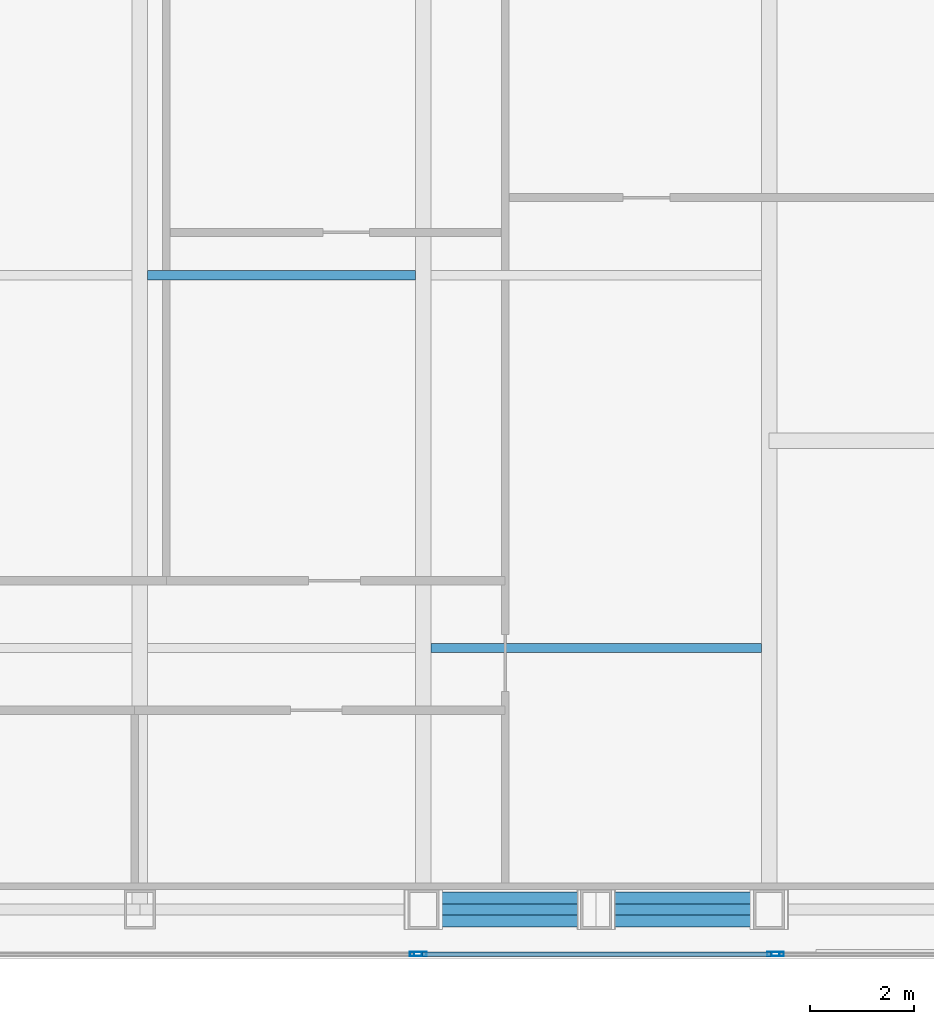
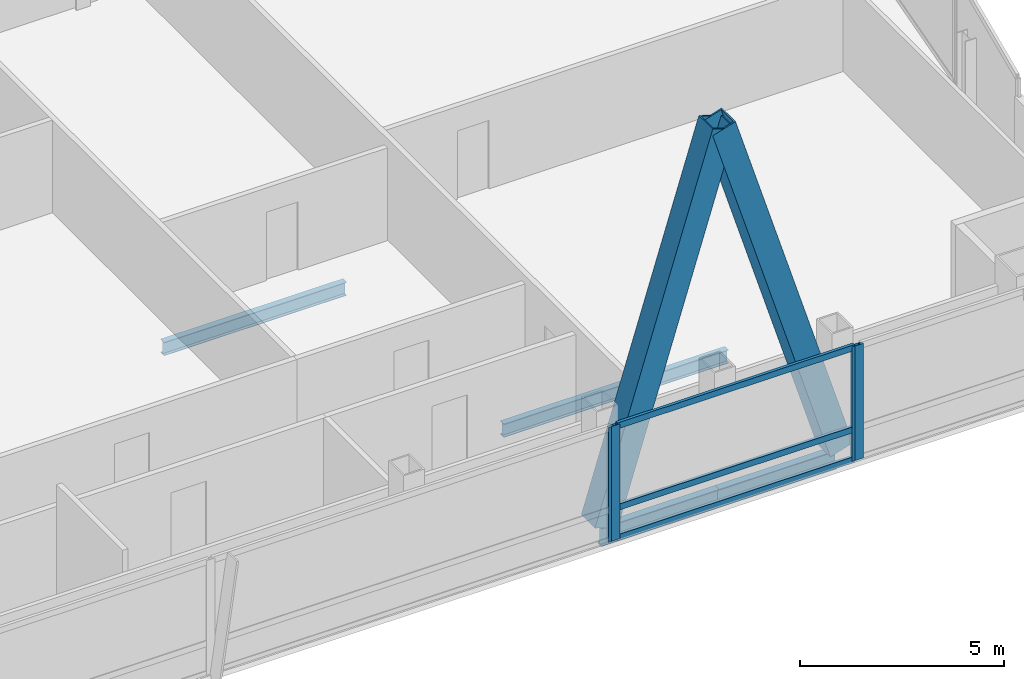
# One storey, part 14 of 31: 9 members, 4 beams, 3 elements without a shape of their own.
"""IFC4 building model written with IfcOpenShell, lengths in metres."""

from ifc_helpers import new_model, si_unit, direction, frame, origin, origin_2d, place, context, subcontext, project, spatial, hollow_rectangle, i_section, extrude, material, material_profile, profile_set, type_object, element, aggregate, save


model = new_model("IFC4")

# Units and contexts
model_context = context("Model", 3, precision=1e-05, world=origin(), true_north=direction((0.0, 1.0)))
body_context = subcontext(model_context, "Body", "Model", "MODEL_VIEW")
ifc_project = project(units=[si_unit("LENGTHUNIT", "METRE"), si_unit("AREAUNIT", "SQUARE_METRE"), si_unit("VOLUMEUNIT", "CUBIC_METRE"), si_unit("PLANEANGLEUNIT", "RADIAN"), si_unit("MASSUNIT", "GRAM", prefix="KILO")], contexts=[model_context])

# Site, building, storey
site_placement = place(None, origin())
site = spatial("IfcSite", under=ifc_project, at=site_placement, CompositionType="ELEMENT")
building_placement = place(site_placement, origin())
building = spatial("IfcBuilding", under=site, at=building_placement, Name="Khoronbel Lancet Exchange", CompositionType="ELEMENT")
storey_placement = place(building_placement, frame((0.0, 0.0, 273.39990234375)))
storey = spatial("IfcBuildingStorey", under=building, at=storey_placement, Name="L70", CompositionType="ELEMENT", Elevation=273.39990234375)

# Beams
ifc_material_1 = material(Name="Steel S355", Category="steel")
ifc_material_profile_1 = material_profile(ifc_material_1, i_section(OverallWidth=0.179931640625, OverallDepth=0.39990234375, WebThickness=0.008544921875, FlangeThickness=0.013427734375, at=origin_2d()), Name="IPE 400")
ifc_profile_set_1 = profile_set([ifc_material_profile_1], Name="Steel S355")
beam_type_1 = type_object("IfcBeamType", Name="BM-BJ5", PredefinedType="JOIST", material=ifc_profile_set_1)
beam_1_placement = place(storey_placement, frame((48.14990234375, 15.199951171875, -0.35986328125), z_axis=(1.0, 0.0, 0.0), x_axis=(0.0, 1.0, 0.0)))
element("IfcBeam", 1, at=beam_1_placement, inside=storey, type_object=beam_type_1, Name="Level L70 secondary composite joist J05", PredefinedType="JOIST", context=body_context, shape_type="SweptSolid", body=[
    extrude(i_section(OverallWidth=0.179931640625, OverallDepth=0.39990234375, WebThickness=0.008544921875, FlangeThickness=0.013427734375, at=origin_2d()), origin(), (0.0, 0.0, 1.0), 6.375),
])
beam_2_placement = place(storey_placement, frame((42.675048828125, 22.39990234375, -0.35986328125), z_axis=(1.0, 0.0, 0.0), x_axis=(0.0, 1.0, 0.0)))
element("IfcBeam", 2, at=beam_2_placement, inside=storey, type_object=beam_type_1, Name="Level L70 secondary composite joist J09", PredefinedType="JOIST", context=body_context, shape_type="SweptSolid", body=[
    extrude(i_section(OverallWidth=0.179931640625, OverallDepth=0.39990234375, WebThickness=0.008544921875, FlangeThickness=0.013427734375, at=origin_2d()), origin(), (0.0, 0.0, 1.0), 5.175048828125),
])
ifc_material_profile_2 = material_profile(ifc_material_1, i_section(OverallWidth=0.2099609375, OverallDepth=0.550048828125, WebThickness=0.010986328125, FlangeThickness=0.01708984375, at=origin_2d()), Name="IPE 550")
ifc_profile_set_2 = profile_set([ifc_material_profile_2], Name="Steel S355")
beam_type_2 = type_object("IfcBeamType", Name="BM-BSP3", PredefinedType="SPANDREL", material=ifc_profile_set_2)
beam_3_placement = place(storey_placement, frame((48.0, 10.14990234375, -0.434814453125), z_axis=(1.0, 0.0, 0.0), x_axis=(0.0, 1.0, 0.0)))
element("IfcBeam", 3, at=beam_3_placement, inside=storey, type_object=beam_type_2, Name="Level L70 perimeter spandrel beam SP07", PredefinedType="SPANDREL", context=body_context, shape_type="SweptSolid", body=[
    extrude(i_section(OverallWidth=0.2099609375, OverallDepth=0.550048828125, WebThickness=0.010986328125, FlangeThickness=0.01708984375, at=origin_2d()), origin(), (0.0, 0.0, 1.0), 3.33740234375),
])
beam_4_placement = place(storey_placement, frame((51.33740234375, 10.14990234375, -0.434814453125), z_axis=(1.0, 0.0, 0.0), x_axis=(0.0, 1.0, 0.0)))
element("IfcBeam", 4, at=beam_4_placement, inside=storey, type_object=beam_type_2, Name="Level L70 perimeter spandrel beam SP08", PredefinedType="SPANDREL", context=body_context, shape_type="SweptSolid", body=[
    extrude(i_section(OverallWidth=0.2099609375, OverallDepth=0.550048828125, WebThickness=0.010986328125, FlangeThickness=0.01708984375, at=origin_2d()), origin(), (0.0, 0.0, 1.0), 3.337646484375),
])

# Curtain wall, member
ifc_material_2 = material(Name="Low-E Solar Control Insulating Glass", Category="glass")
curtain_wall_type = type_object("IfcCurtainWallType", Name="CW-3", PredefinedType="NOTDEFINED", material=ifc_material_2)
curtain_wall_1_placement = place(storey_placement, origin())
curtain_wall_1 = element("IfcCurtainWall", 5, at=curtain_wall_1_placement, inside=storey, type_object=curtain_wall_type, Name="Unitised curtain wall CW-L70-SCV", PredefinedType="NOTDEFINED")
ifc_material_3 = material(Name="Bronze-Anodised Aluminium 6063-T6", Category="aluminium")
ifc_material_profile_3 = material_profile(ifc_material_3, hollow_rectangle(XDim=0.0849609375, YDim=0.239990234375, WallThickness=0.006103515625, at=origin_2d()), Name="ALU MULLION 85x240")
ifc_profile_set_3 = profile_set([ifc_material_profile_3], Name="Bronze-Anodised Aluminium 6063-T6")
member_type_1 = type_object("IfcMemberType", Name="MEM-CWM1", PredefinedType="MULLION", material=ifc_profile_set_3)
member_1_placement = place(storey_placement, frame((47.857421875, 9.2900390625, 0.0), z_axis=(0.0, 0.0, 1.0), x_axis=(0.0, 1.0, 0.0)))
member_1 = element("IfcMember", 6, at=member_1_placement, type_object=member_type_1, Name="CW3 mullion 3", PredefinedType="MULLION", context=body_context, shape_type="SweptSolid", body=[
    extrude(hollow_rectangle(XDim=0.0849609375, YDim=0.239990234375, WallThickness=0.006103515625, at=origin_2d()), origin(), (0.0, 0.0, 1.0), 3.440185546875),
])
aggregate(curtain_wall_1, [member_1])

# Curtain wall, members
curtain_wall_2_placement = place(storey_placement, origin())
curtain_wall_2 = element("IfcCurtainWall", 7, at=curtain_wall_2_placement, inside=storey, type_object=curtain_wall_type, Name="Unitised curtain wall CW-L70-SEB", PredefinedType="NOTDEFINED")
member_2_placement = place(storey_placement, frame((47.9423828125, 9.2900390625, 0.0), z_axis=(0.0, 0.0, 1.0), x_axis=(0.0, 1.0, 0.0)))
member_2 = element("IfcMember", 8, at=member_2_placement, type_object=member_type_1, Name="CW3 mullion 1", PredefinedType="MULLION", context=body_context, shape_type="SweptSolid", body=[
    extrude(hollow_rectangle(XDim=0.0849609375, YDim=0.239990234375, WallThickness=0.006103515625, at=origin_2d()), origin(), (0.0, 0.0, 1.0), 3.440185546875),
])
member_3_placement = place(storey_placement, frame((54.757568359375, 9.2900390625, 0.0), z_axis=(0.0, 0.0, 1.0), x_axis=(0.0, 1.0, 0.0)))
member_3 = element("IfcMember", 9, at=member_3_placement, type_object=member_type_1, Name="CW3 mullion 2", PredefinedType="MULLION", context=body_context, shape_type="SweptSolid", body=[
    extrude(hollow_rectangle(XDim=0.0849609375, YDim=0.239990234375, WallThickness=0.006103515625, at=origin_2d()), origin(), (0.0, 0.0, 1.0), 3.440185546875),
])

# Curtain wall, member
curtain_wall_3_placement = place(storey_placement, origin())
curtain_wall_3 = element("IfcCurtainWall", 10, at=curtain_wall_3_placement, inside=storey, type_object=curtain_wall_type, Name="Unitised curtain wall CW-L70-SEV", PredefinedType="NOTDEFINED")
member_4_placement = place(storey_placement, frame((54.842529296875, 9.2900390625, 0.0), z_axis=(0.0, 0.0, 1.0), x_axis=(0.0, 1.0, 0.0)))
member_4 = element("IfcMember", 11, at=member_4_placement, type_object=member_type_1, Name="CW3 mullion 1", PredefinedType="MULLION", context=body_context, shape_type="SweptSolid", body=[
    extrude(hollow_rectangle(XDim=0.0849609375, YDim=0.239990234375, WallThickness=0.006103515625, at=origin_2d()), origin(), (0.0, 0.0, 1.0), 3.440185546875),
])
aggregate(curtain_wall_3, [member_4])

# Member
ifc_material_profile_4 = material_profile(ifc_material_3, hollow_rectangle(XDim=0.0849609375, YDim=0.179931640625, WallThickness=0.0048828125, at=origin_2d()), Name="ALU TRANSOM 85x180")
ifc_profile_set_4 = profile_set([ifc_material_profile_4], Name="Bronze-Anodised Aluminium 6063-T6")
member_type_2 = type_object("IfcMemberType", Name="MEM-CWT1", PredefinedType="USERDEFINED", material=ifc_profile_set_4)
member_5_placement = place(storey_placement, frame((47.985107421875, 9.2900390625, 0.04248046875), z_axis=(1.0, 0.0, 0.0), x_axis=(0.0, 1.0, 0.0)))
member_5 = element("IfcMember", 12, at=member_5_placement, type_object=member_type_2, Name="CW3 transom 1.1", ObjectType="TRANSOM", PredefinedType="USERDEFINED", context=body_context, shape_type="SweptSolid", body=[
    extrude(hollow_rectangle(XDim=0.0849609375, YDim=0.179931640625, WallThickness=0.0048828125, at=origin_2d()), origin(), (0.0, 0.0, 1.0), 6.72998046875),
])

member_6_placement = place(storey_placement, frame((47.985107421875, 9.2900390625, 0.9501953125), z_axis=(1.0, 0.0, 0.0), x_axis=(0.0, 1.0, 0.0)))
member_6 = element("IfcMember", 13, at=member_6_placement, type_object=member_type_2, Name="CW3 transom 1.2", ObjectType="TRANSOM", PredefinedType="USERDEFINED", context=body_context, shape_type="SweptSolid", body=[
    extrude(hollow_rectangle(XDim=0.0849609375, YDim=0.179931640625, WallThickness=0.0048828125, at=origin_2d()), origin(), (0.0, 0.0, 1.0), 6.72998046875),
])

member_7_placement = place(storey_placement, frame((47.985107421875, 9.2900390625, 3.397705078125), z_axis=(1.0, 0.0, 0.0), x_axis=(0.0, 1.0, 0.0)))
member_7 = element("IfcMember", 14, at=member_7_placement, type_object=member_type_2, Name="CW3 transom 1.3", ObjectType="TRANSOM", PredefinedType="USERDEFINED", context=body_context, shape_type="SweptSolid", body=[
    extrude(hollow_rectangle(XDim=0.0849609375, YDim=0.179931640625, WallThickness=0.0048828125, at=origin_2d()), origin(), (0.0, 0.0, 1.0), 6.72998046875),
])

aggregate(curtain_wall_2, [member_2, member_3, member_5, member_6, member_7])

# Members
ifc_material_4 = material(Name="Steel S460", Category="steel")
ifc_material_profile_5 = material_profile(ifc_material_4, hollow_rectangle(XDim=0.679931640625, YDim=0.679931640625, WallThickness=0.044921875, at=origin_2d()), Name="BOX 680x680x45")
ifc_profile_set_5 = profile_set([ifc_material_profile_5], Name="Steel S460")
member_type_3 = type_object("IfcMemberType", Name="MEM-MB3", PredefinedType="BRACE", material=ifc_profile_set_5)
for number, where, z_axis, x_axis, name in (
    (15, (48.0, 10.14990234375, 0.0), (0.295242108906, 0.0, 0.955422470496), (0.0, 1.0, 0.0), "Perimeter lancet brace tier 24 S-E-L"),
    (16, (54.675048828125, 10.14990234375, 0.0), (-0.295261823895, 0.0, 0.955416378), (0.0, -1.0, 0.0), "Perimeter lancet brace tier 24 S-E-R"),
):
    element("IfcMember", number, at=place(storey_placement, frame(where, z_axis=z_axis, x_axis=x_axis)), inside=storey, type_object=member_type_3, Name=name, PredefinedType="BRACE", context=body_context, shape_type="SweptSolid", body=[
        extrude(hollow_rectangle(XDim=0.679931640625, YDim=0.679931640625, WallThickness=0.044921875, at=origin_2d()), origin(), (0.0, 0.0, 1.0), 11.303955078125),
    ])

save(model, "model.ifc")
